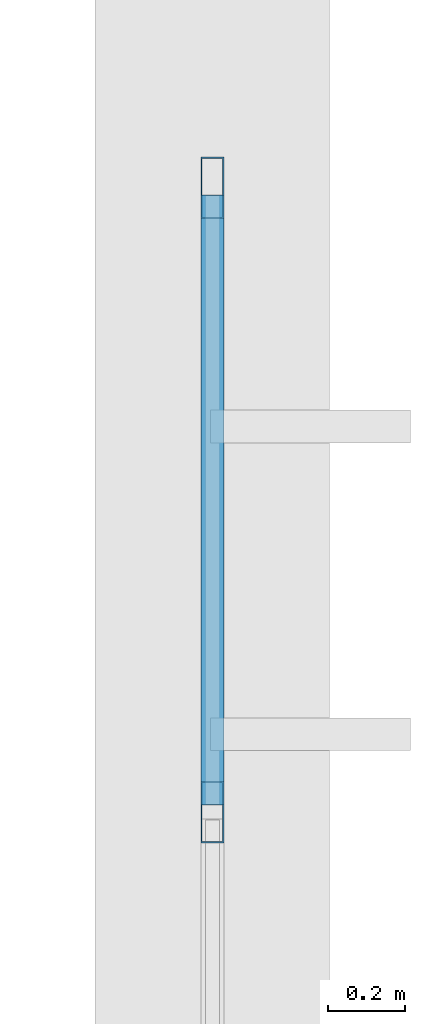
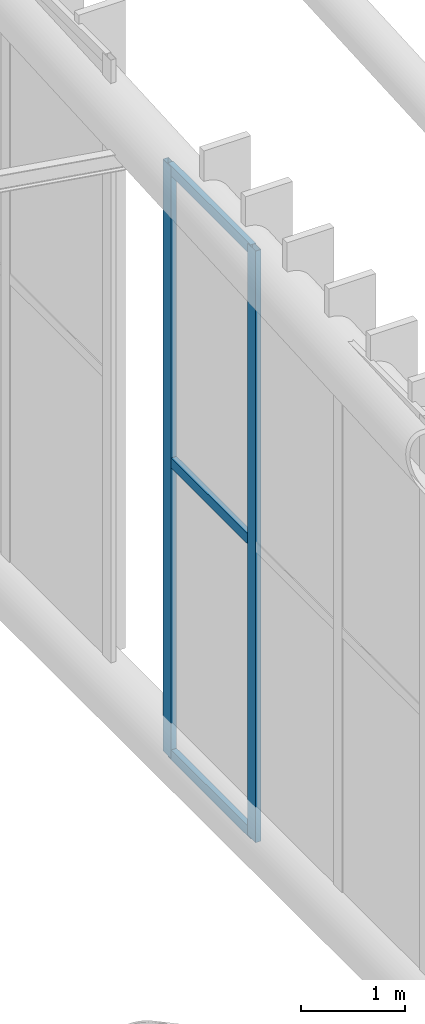
# One storey, part 167 of 397: 5 members, 1 element without a shape of its own.
"""IFC4 building model written with IfcOpenShell, lengths in metres."""

from ifc_helpers import new_model, si_unit, direction, frame, origin, origin_2d, place, context, subcontext, project, spatial, hollow_rectangle, extrude, material, material_profile, profile_set, type_object, element, aggregate, save


model = new_model("IFC4")

# Units and contexts
model_context = context("Model", 3, precision=1e-05, world=origin(), true_north=direction((0.0, 1.0)))
body_context = subcontext(model_context, "Body", "Model", "MODEL_VIEW")
ifc_project = project(units=[si_unit("LENGTHUNIT", "METRE"), si_unit("AREAUNIT", "SQUARE_METRE"), si_unit("VOLUMEUNIT", "CUBIC_METRE"), si_unit("PLANEANGLEUNIT", "RADIAN"), si_unit("MASSUNIT", "GRAM", prefix="KILO")], contexts=[model_context])

# Site, building, storey
site_placement = place(None, origin())
site = spatial("IfcSite", under=ifc_project, at=site_placement, CompositionType="ELEMENT")
building_placement = place(site_placement, origin())
building = spatial("IfcBuilding", under=site, at=building_placement, Name="Qandorah Velis Arena", CompositionType="ELEMENT")
storey_placement = place(building_placement, frame((0.0, 0.0, 27.5)))
storey = spatial("IfcBuildingStorey", under=building, at=storey_placement, Name="RF", CompositionType="ELEMENT", Elevation=27.5)

# Curtain wall, members
ifc_material_1 = material(Name="Solar-control low-E double glazing", Category="glass")
curtain_wall_type = type_object("IfcCurtainWallType", Name="ARC-CW-SYS12", PredefinedType="USERDEFINED", material=ifc_material_1)
curtain_wall_placement = place(storey_placement, origin())
curtain_wall = element("IfcCurtainWall", 1, at=curtain_wall_placement, inside=storey, type_object=curtain_wall_type, Name="Unitised curtain wall CROWN-2-03S2", ObjectType="UNITISED CURTAIN WALL", PredefinedType="USERDEFINED")
ifc_material_2 = material(Name="Champagne-bronze anodized aluminium 6063-T6", Category="aluminium")
ifc_material_profile_1 = material_profile(ifc_material_2, hollow_rectangle(XDim=0.06005859375, YDim=0.159912109375, WallThickness=0.00341796875, at=origin_2d()), Name="ALU MULLION 60x160")
ifc_profile_set_1 = profile_set([ifc_material_profile_1], Name="Champagne-bronze anodized aluminium 6063-T6")
member_type_1 = type_object("IfcMemberType", Name="ARC-CWM-160", PredefinedType="MULLION", material=ifc_profile_set_1)
member_1_placement = place(storey_placement, frame((115.199951171875, 48.197509765625, -0.014892578125), z_axis=(0.0, 0.0, 1.0), x_axis=(-1.0, 0.0, 0.0)))
member_1 = element("IfcMember", 2, at=member_1_placement, type_object=member_type_1, Name="CW12 mullion 4", PredefinedType="MULLION", context=body_context, shape_type="SweptSolid", body=[
    extrude(hollow_rectangle(XDim=0.06005859375, YDim=0.159912109375, WallThickness=0.00341796875, at=origin_2d()), origin(), (0.0, 0.0, 1.0), 6.931884765625),
])
member_2_placement = place(storey_placement, frame((115.199951171875, 49.820068359375, -0.014892578125), z_axis=(0.0, 0.0, 1.0), x_axis=(-1.0, 0.0, 0.0)))
member_2 = element("IfcMember", 3, at=member_2_placement, type_object=member_type_1, Name="CW12 mullion 5", PredefinedType="MULLION", context=body_context, shape_type="SweptSolid", body=[
    extrude(hollow_rectangle(XDim=0.06005859375, YDim=0.159912109375, WallThickness=0.00341796875, at=origin_2d()), origin(), (0.0, 0.0, 1.0), 6.931884765625),
])
ifc_material_profile_2 = material_profile(ifc_material_2, hollow_rectangle(XDim=0.06005859375, YDim=0.1201171875, WallThickness=0.0029296875, at=origin_2d()), Name="ALU TRANSOM 60x120")
ifc_profile_set_2 = profile_set([ifc_material_profile_2], Name="Champagne-bronze anodized aluminium 6063-T6")
member_type_2 = type_object("IfcMemberType", Name="ARC-CWT-120", PredefinedType="USERDEFINED", material=ifc_profile_set_2)
member_3_placement = place(storey_placement, frame((115.199951171875, 48.215576171875, 0.030029296875), z_axis=(0.0, 1.0, 0.0), x_axis=(-1.0, 0.0, 0.0)))
member_3 = element("IfcMember", 4, at=member_3_placement, type_object=member_type_2, Name="CW12 transom 4.1", ObjectType="TRANSOM", PredefinedType="USERDEFINED", context=body_context, shape_type="SweptSolid", body=[
    extrude(hollow_rectangle(XDim=0.06005859375, YDim=0.1201171875, WallThickness=0.0029296875, at=origin_2d()), origin(), (0.0, 0.0, 1.0), 1.58642578125),
])
member_4_placement = place(storey_placement, frame((115.199951171875, 48.215576171875, 3.450927734375), z_axis=(0.0, 1.0, 0.0), x_axis=(-1.0, 0.0, 0.0)))
member_4 = element("IfcMember", 5, at=member_4_placement, type_object=member_type_2, Name="CW12 transom 4.2", ObjectType="TRANSOM", PredefinedType="USERDEFINED", context=body_context, shape_type="SweptSolid", body=[
    extrude(hollow_rectangle(XDim=0.06005859375, YDim=0.1201171875, WallThickness=0.0029296875, at=origin_2d()), origin(), (0.0, 0.0, 1.0), 1.58642578125),
])
member_5_placement = place(storey_placement, frame((115.199951171875, 48.215576171875, 6.871826171875), z_axis=(0.0, 1.0, 0.0), x_axis=(-1.0, 0.0, 0.0)))
member_5 = element("IfcMember", 6, at=member_5_placement, type_object=member_type_2, Name="CW12 transom 4.3", ObjectType="TRANSOM", PredefinedType="USERDEFINED", context=body_context, shape_type="SweptSolid", body=[
    extrude(hollow_rectangle(XDim=0.06005859375, YDim=0.1201171875, WallThickness=0.0029296875, at=origin_2d()), origin(), (0.0, 0.0, 1.0), 1.58642578125),
])
aggregate(curtain_wall, [member_1, member_2, member_3, member_4, member_5])

save(model, "model.ifc")
